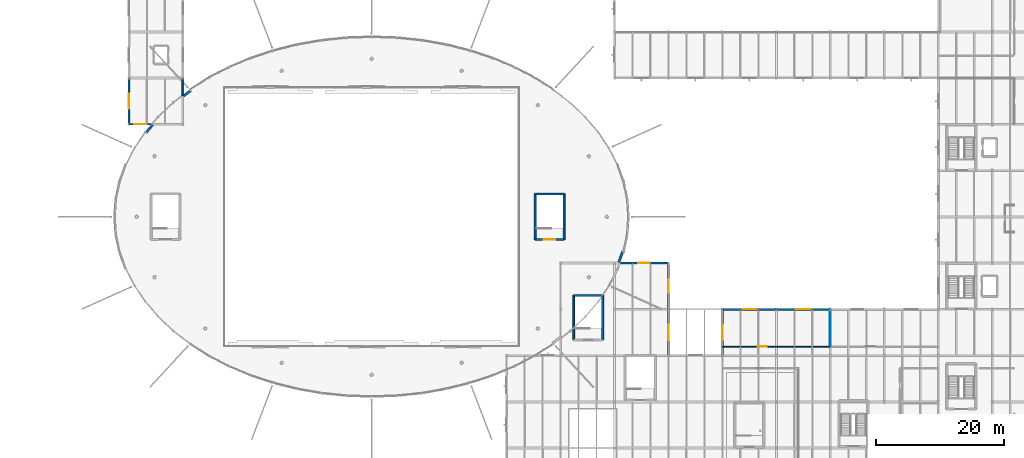
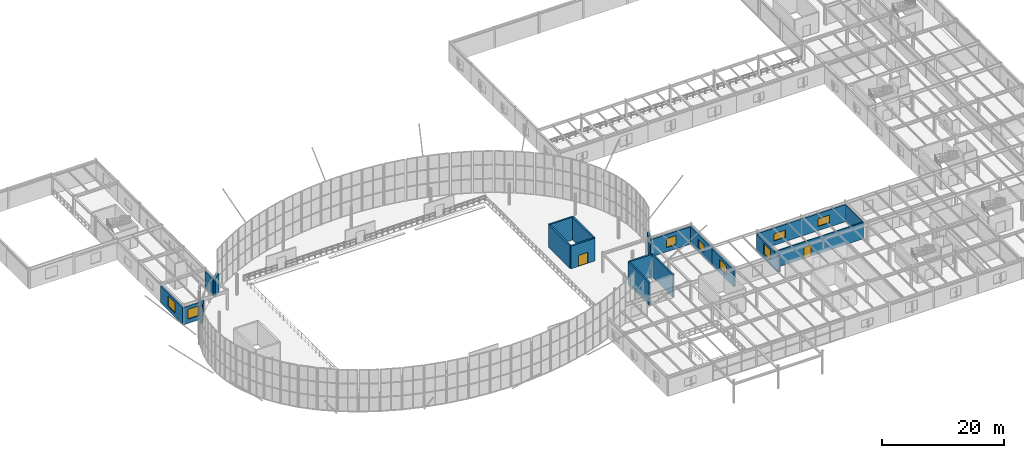
# One storey, part 64 of 109: 21 walls, 8 windows, 2 doors, 10 openings.
"""IFC4 building model written with IfcOpenShell, lengths in metres."""

from ifc_helpers import new_model, si_unit, derived_unit, direction, frame, frame_2d, origin, place, context, subcontext, project, spatial, rectangle, extrude, material, layer, layer_set, type_object, element, fill, save


model = new_model("IFC4")

# Units and contexts
model_context = context("Model", 3, precision=1e-05, world=origin(), true_north=direction((0.0, 1.0)))
body_context = subcontext(model_context, "Body", "Model", "MODEL_VIEW")
ifc_project = project(units=[si_unit("LENGTHUNIT", "METRE"), si_unit("AREAUNIT", "SQUARE_METRE"), si_unit("VOLUMEUNIT", "CUBIC_METRE"), si_unit("PLANEANGLEUNIT", "RADIAN"), si_unit("MASSUNIT", "GRAM", prefix="KILO"), derived_unit("THERMALTRANSMITTANCEUNIT", [(si_unit("MASSUNIT", "GRAM", prefix="KILO"), 1), (si_unit("TIMEUNIT", "SECOND"), -3), (si_unit("THERMODYNAMICTEMPERATUREUNIT", "KELVIN"), -1)])], contexts=[model_context])

# Site, building, storey
site_placement = place(None, origin())
site = spatial("IfcSite", under=ifc_project, at=site_placement, CompositionType="ELEMENT")
building_placement = place(site_placement, origin())
building = spatial("IfcBuilding", under=site, at=building_placement, Name="Kharveza Railside Sports Centre", CompositionType="ELEMENT")
storey_placement = place(building_placement, frame((0.0, 0.0, 4.5)))
storey = spatial("IfcBuildingStorey", under=building, at=storey_placement, Name="L01", CompositionType="ELEMENT", Elevation=4.5)

# Wall, opening, door
ifc_material_1 = material(Name="Concrete C35/45", Category="concrete")
ifc_layer_1 = layer(ifc_material_1, 0.300048828125, Name="Concrete C35/45")
ifc_layer_set_1 = layer_set([ifc_layer_1], Name="Concrete C35/45")
wall_type_1 = type_object("IfcWallType", Name="WL-CR300", PredefinedType="SHEAR", material=ifc_layer_set_1)
wall_1_placement = place(storey_placement, frame((80.050048828125, 46.85009765625, 0.0), z_axis=(0.0, 0.0, 1.0), x_axis=(1.0, 0.0, 0.0)))
wall_1 = element("IfcWall", 1, at=wall_1_placement, inside=storey, type_object=wall_type_1, Name="WL-CORE-ST8-L01-S", PredefinedType="SHEAR", context=body_context, shape_type="SweptSolid", body=[
    extrude(rectangle(XDim=4.5, YDim=0.300048828125, at=frame_2d((2.25, 0.0))), origin(), (0.0, 0.0, 1.0), 4.56005859375),
])
opening_1_placement = place(wall_1_placement, frame((1.35009765625, 0.0, 0.0)))
opening_1 = element("IfcOpeningElement", 2, at=opening_1_placement, cuts=wall_1, Name="Opening D08", PredefinedType="OPENING", context=body_context, shape_type="SweptSolid", body=[
    extrude(rectangle(XDim=1.800048828125, YDim=2.199951171875, at=frame_2d((0.89990234375, 1.10009765625))), frame((0.0, 0.1748046875, 0.0), z_axis=(0.0, -1.0, 0.0), x_axis=(1.0, 0.0, 0.0)), (0.0, 0.0, 1.0), 0.349853515625),
])
ifc_material_2 = material(Name="Fire-rated hardwood door leaf", Category="wood")
door_type_1 = type_object("IfcDoorType", Name="DR-ST01", OperationType="NOTDEFINED", PredefinedType="DOOR", material=ifc_material_2)
door_1_placement = place(opening_1_placement, frame((1.800048828125, 0.0, 0.0), z_axis=(0.0, 0.0, 1.0), x_axis=(-1.0, 0.0, 0.0)))
door_1 = element("IfcDoor", 3, at=door_1_placement, inside=storey, type_object=door_type_1, Name="DR-ST-ST8-L01", OperationType="DOUBLE_DOOR_SINGLE_SWING", OverallHeight=2.199951171875, OverallWidth=1.800048828125, PredefinedType="DOOR", context=body_context, shape_type="SweptSolid", body=[
    extrude(rectangle(XDim=1.800048828125, YDim=2.199951171875, at=frame_2d((0.89990234375, 1.10009765625))), frame((0.0, 0.02490234375, 0.0), z_axis=(0.0, -1.0, 0.0), x_axis=(1.0, 0.0, 0.0)), (0.0, 0.0, 1.0), 0.050048828125),
])
fill(opening_1, door_1)

# Walls
wall_2_placement = place(storey_placement, frame((84.550048828125, 46.85009765625, 0.0), z_axis=(0.0, 0.0, 1.0), x_axis=(0.0, 1.0, 0.0)))
element("IfcWall", 4, at=wall_2_placement, inside=storey, type_object=wall_type_1, Name="WL-CORE-ST8-L01-E", PredefinedType="SHEAR", context=body_context, shape_type="SweptSolid", body=[
    extrude(rectangle(XDim=7.099853515625, YDim=0.300048828125, at=frame_2d((3.5498046875, 0.0))), origin(), (0.0, 0.0, 1.0), 4.56005859375),
])
wall_3_placement = place(storey_placement, frame((84.550048828125, 53.949951171875, 0.0), z_axis=(0.0, 0.0, 1.0), x_axis=(-1.0, 0.0, 0.0)))
element("IfcWall", 5, at=wall_3_placement, inside=storey, type_object=wall_type_1, Name="WL-CORE-ST8-L01-N", PredefinedType="SHEAR", context=body_context, shape_type="SweptSolid", body=[
    extrude(rectangle(XDim=4.5, YDim=0.300048828125, at=frame_2d((2.25, 0.0))), origin(), (0.0, 0.0, 1.0), 4.56005859375),
])
wall_4_placement = place(storey_placement, frame((80.050048828125, 53.949951171875, 0.0), z_axis=(0.0, 0.0, 1.0), x_axis=(0.0, -1.0, 0.0)))
element("IfcWall", 6, at=wall_4_placement, inside=storey, type_object=wall_type_1, Name="WL-CORE-ST8-L01-W", PredefinedType="SHEAR", context=body_context, shape_type="SweptSolid", body=[
    extrude(rectangle(XDim=7.099853515625, YDim=0.300048828125, at=frame_2d((3.5498046875, 0.0))), origin(), (0.0, 0.0, 1.0), 4.56005859375),
])
wall_5_placement = place(storey_placement, frame((90.550048828125, 31.25, 0.0), z_axis=(0.0, 0.0, 1.0), x_axis=(0.0, 1.0, 0.0)))
element("IfcWall", 7, at=wall_5_placement, inside=storey, type_object=wall_type_1, Name="WL-CORE-ST9-L01-E", PredefinedType="SHEAR", context=body_context, shape_type="SweptSolid", body=[
    extrude(rectangle(XDim=6.89990234375, YDim=0.300048828125, at=frame_2d((3.449951171875, 0.0))), origin(), (0.0, 0.0, 1.0), 4.56005859375),
])
wall_6_placement = place(storey_placement, frame((90.550048828125, 38.14990234375, 0.0), z_axis=(0.0, 0.0, 1.0), x_axis=(-1.0, 0.0, 0.0)))
element("IfcWall", 8, at=wall_6_placement, inside=storey, type_object=wall_type_1, Name="WL-CORE-ST9-L01-N", PredefinedType="SHEAR", context=body_context, shape_type="SweptSolid", body=[
    extrude(rectangle(XDim=4.5, YDim=0.300048828125, at=frame_2d((2.25, 0.0))), origin(), (0.0, 0.0, 1.0), 4.56005859375),
])
wall_7_placement = place(storey_placement, frame((86.050048828125, 38.14990234375, 0.0), z_axis=(0.0, 0.0, 1.0), x_axis=(0.0, -1.0, 0.0)))
element("IfcWall", 9, at=wall_7_placement, inside=storey, type_object=wall_type_1, Name="WL-CORE-ST9-L01-W", PredefinedType="SHEAR", context=body_context, shape_type="SweptSolid", body=[
    extrude(rectangle(XDim=6.89990234375, YDim=0.300048828125, at=frame_2d((3.449951171875, 0.0))), origin(), (0.0, 0.0, 1.0), 4.56005859375),
])
ifc_material_3 = material(Name="Precast concrete C40/50", Category="concrete")
ifc_layer_2 = layer(ifc_material_3, 0.360107421875, Name="Precast concrete C40/50")
ifc_layer_set_2 = layer_set([ifc_layer_2], Name="Precast concrete C40/50")
wall_type_2 = type_object("IfcWallType", Name="WL-DR360", PredefinedType="STANDARD", material=ifc_layer_set_2)
wall_8_placement = place(storey_placement, frame((26.42578125, 70.056396484375, 0.0), z_axis=(0.0, 0.0, 1.0), x_axis=(-0.791483020517, -0.611191155231, 0.0)))
element("IfcWall", 10, at=wall_8_placement, inside=storey, type_object=wall_type_2, Name="WL-DRUM-JCT-L01-25-1", PredefinedType="STANDARD", context=body_context, shape_type="SweptSolid", body=[
    extrude(rectangle(XDim=1.40966796875, YDim=0.360107421875, at=frame_2d((0.704833984375, 0.0))), origin(), (0.0, 0.0, 1.0), 3.699951171875),
])
wall_9_placement = place(storey_placement, frame((20.494140625, 64.68994140625, 0.0), z_axis=(0.0, 0.0, 1.0), x_axis=(-0.650336097108, -0.759646602571, 0.0)))
element("IfcWall", 11, at=wall_9_placement, inside=storey, type_object=wall_type_2, Name="WL-DRUM-JCT-L01-27-1", PredefinedType="STANDARD", context=body_context, shape_type="SweptSolid", body=[
    extrude(rectangle(XDim=1.59033203125, YDim=0.360107421875, at=frame_2d((0.795166015625, 0.0))), origin(), (0.0, 0.0, 1.0), 3.699951171875),
])
wall_10_placement = place(storey_placement, frame((93.057861328125, 43.31005859375, 0.0), z_axis=(0.0, 0.0, 1.0), x_axis=(0.336905697371, 0.941538395966, 0.0)))
element("IfcWall", 12, at=wall_10_placement, inside=storey, type_object=wall_type_2, Name="WL-DRUM-JCT-L01-62-1", PredefinedType="STANDARD", context=body_context, shape_type="SweptSolid", body=[
    extrude(rectangle(XDim=1.792724609375, YDim=0.360107421875, at=frame_2d((0.896484375, 0.0))), origin(), (0.0, 0.0, 1.0), 3.699951171875),
])

# Wall, opening, window
ifc_material_4 = material(Name="Acoustic mineral-wool metal cladding panel")
ifc_layer_3 = layer(ifc_material_4, 0.2900390625, Name="Acoustic mineral-wool metal cladding panel")
ifc_layer_set_3 = layer_set([ifc_layer_3], Name="Acoustic mineral-wool metal cladding panel")
wall_type_3 = type_object("IfcWallType", Name="WL-EX290", PredefinedType="STANDARD", material=ifc_layer_set_3)
wall_11_placement = place(storey_placement, frame((16.800048828125, 72.0, 0.0), z_axis=(0.0, 0.0, 1.0), x_axis=(0.0, -1.0, 0.0)))
wall_11 = element("IfcWall", 13, at=wall_11_placement, inside=storey, type_object=wall_type_3, Name="WL-EXT-L01-145", PredefinedType="STANDARD", context=body_context, shape_type="SweptSolid", body=[
    extrude(rectangle(XDim=7.199951171875, YDim=0.2900390625, at=frame_2d((3.60009765625, 0.0))), origin(), (0.0, 0.0, 1.0), 3.43505859375),
])
opening_2_placement = place(wall_11_placement, frame((2.449951171875, 0.0, 0.85009765625)))
opening_2 = element("IfcOpeningElement", 14, at=opening_2_placement, cuts=wall_11, Name="Opening WN29", PredefinedType="OPENING", context=body_context, shape_type="SweptSolid", body=[
    extrude(rectangle(XDim=2.300048828125, YDim=2.050048828125, at=frame_2d((1.14990234375, 1.02490234375))), frame((0.0, 0.169921875, 0.0), z_axis=(0.0, -1.0, 0.0), x_axis=(1.0, 0.0, 0.0)), (0.0, 0.0, 1.0), 0.33984375),
])
ifc_material_5 = material(Name="Low-E solar-control laminated glass", Category="glass")
window_type_1 = type_object("IfcWindowType", Name="WN-Z13", PartitioningType="SINGLE_PANEL", PredefinedType="WINDOW", material=ifc_material_5)
window_1_placement = place(opening_2_placement, origin())
window_1 = element("IfcWindow", 15, at=window_1_placement, inside=storey, type_object=window_type_1, Name="WN-EXT-L01-077", OverallHeight=2.050048828125, OverallWidth=2.300048828125, PartitioningType="SINGLE_PANEL", PredefinedType="WINDOW", context=body_context, shape_type="SweptSolid", body=[
    extrude(rectangle(XDim=2.300048828125, YDim=2.050048828125, at=frame_2d((1.14990234375, 1.02490234375))), frame((0.0, 0.030029296875, 0.0), z_axis=(0.0, -1.0, 0.0), x_axis=(1.0, 0.0, 0.0)), (0.0, 0.0, 1.0), 0.06005859375),
])
fill(opening_2, window_1)

wall_12_placement = place(storey_placement, frame((16.800048828125, 64.800048828125, 0.0), z_axis=(0.0, 0.0, 1.0), x_axis=(1.0, 0.0, 0.0)))
wall_12 = element("IfcWall", 16, at=wall_12_placement, inside=storey, type_object=wall_type_3, Name="WL-EXT-L01-146", PredefinedType="STANDARD", context=body_context, shape_type="SweptSolid", body=[
    extrude(rectangle(XDim=3.6162109375, YDim=0.2900390625, at=frame_2d((1.80810546875, 0.0))), origin(), (0.0, 0.0, 1.0), 3.43505859375),
])
opening_3_placement = place(wall_12_placement, frame((0.8330078125, 0.0, 0.85009765625)))
opening_3 = element("IfcOpeningElement", 17, at=opening_3_placement, cuts=wall_12, Name="Opening WN30", PredefinedType="OPENING", context=body_context, shape_type="SweptSolid", body=[
    extrude(rectangle(XDim=1.949951171875, YDim=1.949951171875, at=frame_2d((0.97509765625, 0.97509765625))), frame((0.0, 0.169921875, 0.0), z_axis=(0.0, -1.0, 0.0), x_axis=(1.0, 0.0, 0.0)), (0.0, 0.0, 1.0), 0.33984375),
])
window_type_2 = type_object("IfcWindowType", Name="WN-Z14", PartitioningType="SINGLE_PANEL", PredefinedType="WINDOW", material=ifc_material_5)
window_2_placement = place(opening_3_placement, origin())
window_2 = element("IfcWindow", 18, at=window_2_placement, inside=storey, type_object=window_type_2, Name="WN-EXT-L01-078", OverallHeight=1.949951171875, OverallWidth=1.949951171875, PartitioningType="SINGLE_PANEL", PredefinedType="WINDOW", context=body_context, shape_type="SweptSolid", body=[
    extrude(rectangle(XDim=1.949951171875, YDim=1.949951171875, at=frame_2d((0.97509765625, 0.97509765625))), frame((0.0, 0.030029296875, 0.0), z_axis=(0.0, -1.0, 0.0), x_axis=(1.0, 0.0, 0.0)), (0.0, 0.0, 1.0), 0.06005859375),
])
fill(opening_3, window_2)

# Wall
wall_13_placement = place(storey_placement, frame((25.199951171875, 69.275146484375, 0.0), z_axis=(0.0, 0.0, 1.0), x_axis=(0.0, 1.0, 0.0)))
element("IfcWall", 19, at=wall_13_placement, inside=storey, type_object=wall_type_3, Name="WL-EXT-L01-147", PredefinedType="STANDARD", context=body_context, shape_type="SweptSolid", body=[
    extrude(rectangle(XDim=2.724853515625, YDim=0.2900390625, at=frame_2d((1.3623046875, 0.0))), origin(), (0.0, 0.0, 1.0), 3.485107421875),
])

# Wall, opening, window
ifc_layer_4 = layer(ifc_material_3, 0.320068359375, Name="Precast concrete C40/50")
ifc_layer_set_4 = layer_set([ifc_layer_4], Name="Precast concrete C40/50")
wall_type_4 = type_object("IfcWallType", Name="WL-EX320", PredefinedType="STANDARD", material=ifc_layer_set_4)
wall_14_placement = place(storey_placement, frame((126.0, 36.0, 0.0), z_axis=(0.0, 0.0, 1.0), x_axis=(-1.0, 0.0, 0.0)))
wall_14 = element("IfcWall", 20, at=wall_14_placement, inside=storey, type_object=wall_type_4, Name="WL-EXT-L01-136", PredefinedType="STANDARD", context=body_context, shape_type="SweptSolid", body=[
    extrude(rectangle(XDim=8.39990234375, YDim=0.320068359375, at=frame_2d((4.199951171875, 0.0))), origin(), (0.0, 0.0, 1.0), 3.43505859375),
])
opening_4_placement = place(wall_14_placement, frame((3.10009765625, 0.0, 0.85009765625)))
opening_4 = element("IfcOpeningElement", 21, at=opening_4_placement, cuts=wall_14, Name="Opening WN22", PredefinedType="OPENING", context=body_context, shape_type="SweptSolid", body=[
    extrude(rectangle(XDim=2.199951171875, YDim=1.550048828125, at=frame_2d((1.10009765625, 0.77490234375))), frame((0.0, 0.18505859375, 0.0), z_axis=(0.0, -1.0, 0.0), x_axis=(1.0, 0.0, 0.0)), (0.0, 0.0, 1.0), 0.369873046875),
])
window_type_3 = type_object("IfcWindowType", Name="WN-Z06", PartitioningType="SINGLE_PANEL", PredefinedType="WINDOW", material=ifc_material_5)
window_3_placement = place(opening_4_placement, origin())
window_3 = element("IfcWindow", 22, at=window_3_placement, inside=storey, type_object=window_type_3, Name="WN-EXT-L01-068", OverallHeight=1.550048828125, OverallWidth=2.199951171875, PartitioningType="SINGLE_PANEL", PredefinedType="WINDOW", context=body_context, shape_type="SweptSolid", body=[
    extrude(rectangle(XDim=2.199951171875, YDim=1.550048828125, at=frame_2d((1.10009765625, 0.77490234375))), frame((0.0, 0.030029296875, 0.0), z_axis=(0.0, -1.0, 0.0), x_axis=(1.0, 0.0, 0.0)), (0.0, 0.0, 1.0), 0.06005859375),
])
fill(opening_4, window_3)

wall_15_placement = place(storey_placement, frame((117.60009765625, 36.0, 0.0), z_axis=(0.0, 0.0, 1.0), x_axis=(-1.0, 0.0, 0.0)))
wall_15 = element("IfcWall", 23, at=wall_15_placement, inside=storey, type_object=wall_type_4, Name="WL-EXT-L01-137", PredefinedType="STANDARD", context=body_context, shape_type="SweptSolid", body=[
    extrude(rectangle(XDim=8.400146484375, YDim=0.320068359375, at=frame_2d((4.2001953125, 0.0))), origin(), (0.0, 0.0, 1.0), 3.43505859375),
])
opening_5_placement = place(wall_15_placement, frame((3.14990234375, 0.0, 0.85009765625)))
opening_5 = element("IfcOpeningElement", 24, at=opening_5_placement, cuts=wall_15, Name="Opening WN23", PredefinedType="OPENING", context=body_context, shape_type="SweptSolid", body=[
    extrude(rectangle(XDim=2.10009765625, YDim=1.449951171875, at=frame_2d((1.050048828125, 0.72509765625))), frame((0.0, 0.18505859375, 0.0), z_axis=(0.0, -1.0, 0.0), x_axis=(1.0, 0.0, 0.0)), (0.0, 0.0, 1.0), 0.369873046875),
])
window_type_4 = type_object("IfcWindowType", Name="WN-Z07", PartitioningType="SINGLE_PANEL", PredefinedType="WINDOW", material=ifc_material_5)
window_4_placement = place(opening_5_placement, origin())
window_4 = element("IfcWindow", 25, at=window_4_placement, inside=storey, type_object=window_type_4, Name="WN-EXT-L01-069", OverallHeight=1.449951171875, OverallWidth=2.10009765625, PartitioningType="SINGLE_PANEL", PredefinedType="WINDOW", context=body_context, shape_type="SweptSolid", body=[
    extrude(rectangle(XDim=2.10009765625, YDim=1.449951171875, at=frame_2d((1.050048828125, 0.72509765625))), frame((0.0, 0.030029296875, 0.0), z_axis=(0.0, -1.0, 0.0), x_axis=(1.0, 0.0, 0.0)), (0.0, 0.0, 1.0), 0.06005859375),
])
fill(opening_5, window_4)

wall_16_placement = place(storey_placement, frame((109.199951171875, 36.0, 0.0), z_axis=(0.0, 0.0, 1.0), x_axis=(0.0, -1.0, 0.0)))
wall_16 = element("IfcWall", 26, at=wall_16_placement, inside=storey, type_object=wall_type_4, Name="WL-EXT-L01-138", PredefinedType="STANDARD", context=body_context, shape_type="SweptSolid", body=[
    extrude(rectangle(XDim=7.199951171875, YDim=0.320068359375, at=frame_2d((3.60009765625, 0.0))), origin(), (0.0, 0.0, 1.0), 3.304931640625),
])
opening_6_placement = place(wall_16_placement, frame((2.449951171875, 0.0, 0.85009765625)))
opening_6 = element("IfcOpeningElement", 27, at=opening_6_placement, cuts=wall_16, Name="Opening WN29", PredefinedType="OPENING", context=body_context, shape_type="SweptSolid", body=[
    extrude(rectangle(XDim=2.300048828125, YDim=2.050048828125, at=frame_2d((1.14990234375, 1.02490234375))), frame((0.0, 0.18505859375, 0.0), z_axis=(0.0, -1.0, 0.0), x_axis=(1.0, 0.0, 0.0)), (0.0, 0.0, 1.0), 0.369873046875),
])
window_5_placement = place(opening_6_placement, origin())
window_5 = element("IfcWindow", 28, at=window_5_placement, inside=storey, type_object=window_type_1, Name="WN-EXT-L01-070", OverallHeight=2.050048828125, OverallWidth=2.300048828125, PartitioningType="SINGLE_PANEL", PredefinedType="WINDOW", context=body_context, shape_type="SweptSolid", body=[
    extrude(rectangle(XDim=2.300048828125, YDim=2.050048828125, at=frame_2d((1.14990234375, 1.02490234375))), frame((0.0, 0.030029296875, 0.0), z_axis=(0.0, -1.0, 0.0), x_axis=(1.0, 0.0, 0.0)), (0.0, 0.0, 1.0), 0.06005859375),
])
fill(opening_6, window_5)

wall_17_placement = place(storey_placement, frame((100.800048828125, 28.800048828125, 0.0), z_axis=(0.0, 0.0, 1.0), x_axis=(0.0, 1.0, 0.0)))
wall_17 = element("IfcWall", 29, at=wall_17_placement, inside=storey, type_object=wall_type_4, Name="WL-EXT-L01-140", PredefinedType="STANDARD", context=body_context, shape_type="SweptSolid", body=[
    extrude(rectangle(XDim=7.199951171875, YDim=0.320068359375, at=frame_2d((3.60009765625, 0.0))), origin(), (0.0, 0.0, 1.0), 3.304931640625),
])
opening_7_placement = place(wall_17_placement, frame((2.39990234375, 0.0, 0.85009765625)))
opening_7 = element("IfcOpeningElement", 30, at=opening_7_placement, cuts=wall_17, Name="Opening WN04", PredefinedType="OPENING", context=body_context, shape_type="SweptSolid", body=[
    extrude(rectangle(XDim=2.39990234375, YDim=1.800048828125, at=frame_2d((1.199951171875, 0.89990234375))), frame((0.0, 0.18505859375, 0.0), z_axis=(0.0, -1.0, 0.0), x_axis=(1.0, 0.0, 0.0)), (0.0, 0.0, 1.0), 0.369873046875),
])
window_type_5 = type_object("IfcWindowType", Name="WN-F04", PartitioningType="SINGLE_PANEL", PredefinedType="WINDOW", material=ifc_material_5)
window_6_placement = place(opening_7_placement, origin())
window_6 = element("IfcWindow", 31, at=window_6_placement, inside=storey, type_object=window_type_5, Name="WN-EXT-L01-072", OverallHeight=1.800048828125, OverallWidth=2.39990234375, PartitioningType="SINGLE_PANEL", PredefinedType="WINDOW", context=body_context, shape_type="SweptSolid", body=[
    extrude(rectangle(XDim=2.39990234375, YDim=1.800048828125, at=frame_2d((1.199951171875, 0.89990234375))), frame((0.0, 0.030029296875, 0.0), z_axis=(0.0, -1.0, 0.0), x_axis=(1.0, 0.0, 0.0)), (0.0, 0.0, 1.0), 0.06005859375),
])
fill(opening_7, window_6)

wall_18_placement = place(storey_placement, frame((100.800048828125, 36.0, 0.0), z_axis=(0.0, 0.0, 1.0), x_axis=(0.0, 1.0, 0.0)))
wall_18 = element("IfcWall", 32, at=wall_18_placement, inside=storey, type_object=wall_type_4, Name="WL-EXT-L01-141", PredefinedType="STANDARD", context=body_context, shape_type="SweptSolid", body=[
    extrude(rectangle(XDim=7.199951171875, YDim=0.320068359375, at=frame_2d((3.60009765625, 0.0))), origin(), (0.0, 0.0, 1.0), 3.43505859375),
])
opening_8_placement = place(wall_18_placement, frame((2.60009765625, 0.0, 0.85009765625)))
opening_8 = element("IfcOpeningElement", 33, at=opening_8_placement, cuts=wall_18, Name="Opening WN15", PredefinedType="OPENING", context=body_context, shape_type="SweptSolid", body=[
    extrude(rectangle(XDim=2.0, YDim=1.60009765625, at=frame_2d((1.0, 0.800048828125))), frame((0.0, 0.18505859375, 0.0), z_axis=(0.0, -1.0, 0.0), x_axis=(1.0, 0.0, 0.0)), (0.0, 0.0, 1.0), 0.369873046875),
])
window_type_6 = type_object("IfcWindowType", Name="WN-F15", PartitioningType="SINGLE_PANEL", PredefinedType="WINDOW", material=ifc_material_5)
window_7_placement = place(opening_8_placement, origin())
window_7 = element("IfcWindow", 34, at=window_7_placement, inside=storey, type_object=window_type_6, Name="WN-EXT-L01-073", OverallHeight=1.60009765625, OverallWidth=2.0, PartitioningType="SINGLE_PANEL", PredefinedType="WINDOW", context=body_context, shape_type="SweptSolid", body=[
    extrude(rectangle(XDim=2.0, YDim=1.60009765625, at=frame_2d((1.0, 0.800048828125))), frame((0.0, 0.030029296875, 0.0), z_axis=(0.0, -1.0, 0.0), x_axis=(1.0, 0.0, 0.0)), (0.0, 0.0, 1.0), 0.06005859375),
])
fill(opening_8, window_7)

wall_19_placement = place(storey_placement, frame((100.800048828125, 43.199951171875, 0.0), z_axis=(0.0, 0.0, 1.0), x_axis=(-1.0, 0.0, 0.0)))
wall_19 = element("IfcWall", 35, at=wall_19_placement, inside=storey, type_object=wall_type_4, Name="WL-EXT-L01-142", PredefinedType="STANDARD", context=body_context, shape_type="SweptSolid", body=[
    extrude(rectangle(XDim=7.643310546875, YDim=0.320068359375, at=frame_2d((3.82177734375, 0.0))), origin(), (0.0, 0.0, 1.0), 3.485107421875),
])
opening_9_placement = place(wall_19_placement, frame((2.921630859375, 0.0, 0.85009765625)))
opening_9 = element("IfcOpeningElement", 36, at=opening_9_placement, cuts=wall_19, Name="Opening WN05", PredefinedType="OPENING", context=body_context, shape_type="SweptSolid", body=[
    extrude(rectangle(XDim=1.800048828125, YDim=1.800048828125, at=frame_2d((0.89990234375, 0.89990234375))), frame((0.0, 0.18505859375, 0.0), z_axis=(0.0, -1.0, 0.0), x_axis=(1.0, 0.0, 0.0)), (0.0, 0.0, 1.0), 0.369873046875),
])
window_type_7 = type_object("IfcWindowType", Name="WN-F05", PartitioningType="SINGLE_PANEL", PredefinedType="WINDOW", material=ifc_material_5)
window_8_placement = place(opening_9_placement, origin())
window_8 = element("IfcWindow", 37, at=window_8_placement, inside=storey, type_object=window_type_7, Name="WN-EXT-L01-074", OverallHeight=1.800048828125, OverallWidth=1.800048828125, PartitioningType="SINGLE_PANEL", PredefinedType="WINDOW", context=body_context, shape_type="SweptSolid", body=[
    extrude(rectangle(XDim=1.800048828125, YDim=1.800048828125, at=frame_2d((0.89990234375, 0.89990234375))), frame((0.0, 0.030029296875, 0.0), z_axis=(0.0, -1.0, 0.0), x_axis=(1.0, 0.0, 0.0)), (0.0, 0.0, 1.0), 0.06005859375),
])
fill(opening_9, window_8)

# Wall, opening, door
ifc_material_6 = material(Name="Gypsum board acoustic stud partition")
ifc_layer_5 = layer(ifc_material_6, 0.14501953125, Name="Gypsum board acoustic stud partition")
ifc_layer_set_5 = layer_set([ifc_layer_5], Name="Gypsum board acoustic stud partition")
wall_type_5 = type_object("IfcWallType", Name="WL-PT145", PredefinedType="PARTITIONING", material=ifc_layer_set_5)
wall_20_placement = place(storey_placement, frame((109.199951171875, 30.199951171875, 0.0), z_axis=(0.0, 0.0, 1.0), x_axis=(1.0, 0.0, 0.0)))
wall_20 = element("IfcWall", 38, at=wall_20_placement, inside=storey, type_object=wall_type_5, Name="WL-INT-L01-048", PredefinedType="PARTITIONING", context=body_context, shape_type="SweptSolid", body=[
    extrude(rectangle(XDim=16.800048828125, YDim=0.14501953125, at=frame_2d((8.39990234375, 0.0))), origin(), (0.0, 0.0, 1.0), 3.320068359375),
])
opening_10_placement = place(wall_20_placement, frame((5.52490234375, 0.0, 0.0)))
opening_10 = element("IfcOpeningElement", 39, at=opening_10_placement, cuts=wall_20, Name="Opening D16", PredefinedType="OPENING", context=body_context, shape_type="SweptSolid", body=[
    extrude(rectangle(XDim=1.35009765625, YDim=2.199951171875, at=frame_2d((0.675048828125, 1.10009765625))), frame((0.0, 0.097412109375, 0.0), z_axis=(0.0, -1.0, 0.0), x_axis=(1.0, 0.0, 0.0)), (0.0, 0.0, 1.0), 0.19482421875),
])
door_type_2 = type_object("IfcDoorType", Name="DR-IN04", OperationType="NOTDEFINED", PredefinedType="DOOR", material=ifc_material_2)
door_2_placement = place(opening_10_placement, origin())
door_2 = element("IfcDoor", 40, at=door_2_placement, inside=storey, type_object=door_type_2, Name="DR-INT-L01-028", OperationType="SINGLE_SWING_LEFT", OverallHeight=2.199951171875, OverallWidth=1.35009765625, PredefinedType="DOOR", context=body_context, shape_type="SweptSolid", body=[
    extrude(rectangle(XDim=1.35009765625, YDim=2.199951171875, at=frame_2d((0.675048828125, 1.10009765625))), frame((0.0, 0.02490234375, 0.0), z_axis=(0.0, -1.0, 0.0), x_axis=(1.0, 0.0, 0.0)), (0.0, 0.0, 1.0), 0.050048828125),
])
fill(opening_10, door_2)

# Wall
wall_21_placement = place(storey_placement, frame((126.0, 30.300048828125, 0.0), z_axis=(0.0, 0.0, 1.0), x_axis=(0.0, 1.0, 0.0)))
element("IfcWall", 41, at=wall_21_placement, inside=storey, type_object=wall_type_5, Name="WL-INT-L01-050", PredefinedType="PARTITIONING", context=body_context, shape_type="SweptSolid", body=[
    extrude(rectangle(XDim=5.550048828125, YDim=0.14501953125, at=frame_2d((2.77490234375, 0.0))), origin(), (0.0, 0.0, 1.0), 3.320068359375),
])

save(model, "model.ifc")
